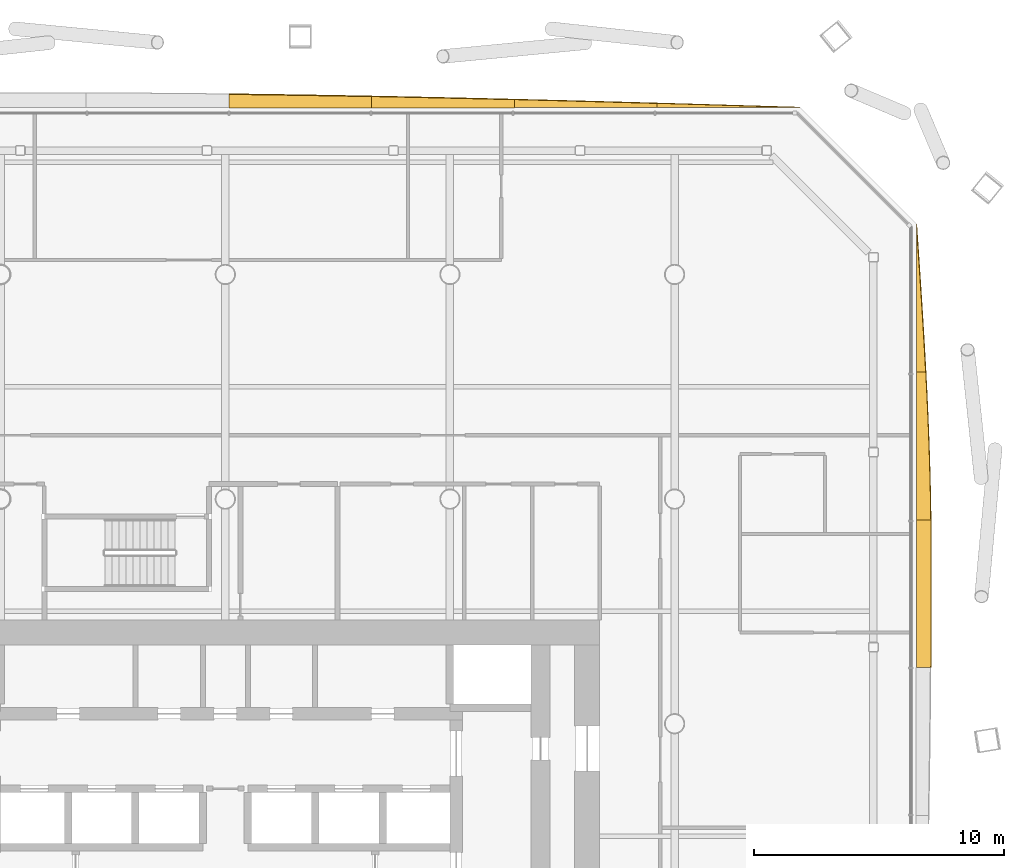
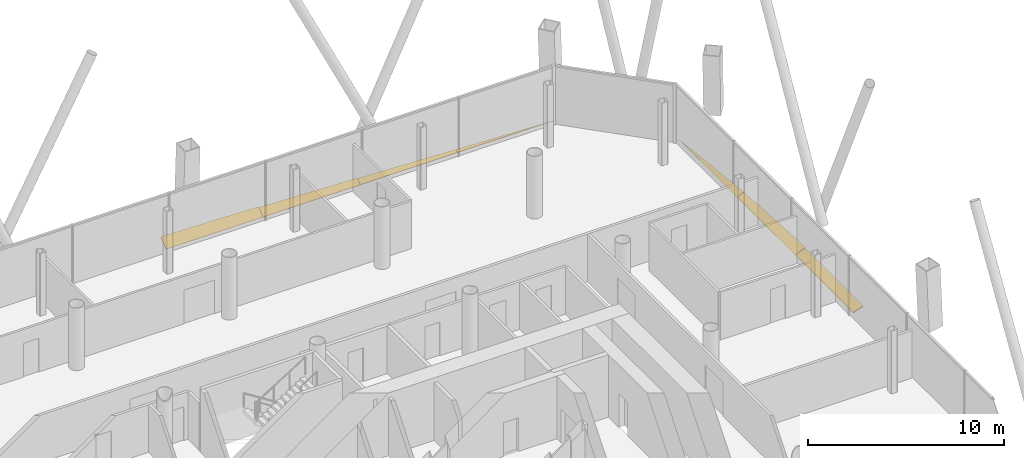
# One storey, part 22 of 22: 7 shading devices.
"""IFC4 building model written with IfcOpenShell, lengths in metres."""

from ifc_helpers import new_model, si_unit, direction, frame, origin, place, context, subcontext, project, spatial, polyline, outline, extrude, material, layer, layer_set, type_object, element, save


model = new_model("IFC4")

# Units and contexts
model_context = context("Model", 3, precision=1e-05, world=origin(), true_north=direction((0.0, 1.0)))
body_context = subcontext(model_context, "Body", "Model", "MODEL_VIEW")
ifc_project = project(units=[si_unit("LENGTHUNIT", "METRE"), si_unit("AREAUNIT", "SQUARE_METRE"), si_unit("VOLUMEUNIT", "CUBIC_METRE"), si_unit("PLANEANGLEUNIT", "RADIAN"), si_unit("MASSUNIT", "GRAM", prefix="KILO")], contexts=[model_context])

# Site, building, storey
site_placement = place(None, origin())
site = spatial("IfcSite", under=ifc_project, at=site_placement, CompositionType="ELEMENT")
building_placement = place(site_placement, origin())
building = spatial("IfcBuilding", under=site, at=building_placement, Name="Tskaro Facet Tower", CompositionType="ELEMENT")
storey_placement = place(building_placement, frame((0.0, 0.0, 85.5)))
storey = spatial("IfcBuildingStorey", under=building, at=storey_placement, Name="L20", CompositionType="ELEMENT", Elevation=85.5)

# Shading devices
ifc_material = material(Name="Bronze anodised aluminium 6063-T6", Category="aluminium")
ifc_layer = layer(ifc_material, 0.06005859375, Name="Bronze anodised aluminium 6063-T6")
ifc_layer_set = layer_set([ifc_layer], Name="Bronze anodised aluminium 6063-T6")
shading_device_type = type_object("IfcShadingDeviceType", Name="Bronze sun blade (FN1)", PredefinedType="USERDEFINED", material=ifc_layer_set)
shading_device_1_placement = place(storey_placement, frame((27.6923828125, 2.24462890625, 0.056396484375), z_axis=(-0.341976492297, -1.2300878e-05, 0.939708507233), x_axis=(-4.206611e-06, 0.999999999924, 1.1559239e-05)))
element("IfcShadingDevice", 1, at=shading_device_1_placement, inside=storey, type_object=shading_device_type, Name="Fin blade east 5", ObjectType="FIN", PredefinedType="USERDEFINED", context=body_context, shape_type="SweptSolid", body=[
    extrude(outline(polyline([(0.0, 0.0), (5.924072265176809, 0.0), (5.924072266639527, -0.6129224061607101), (5.1835937492492805, -0.6211822727742998), (4.443115234439642, -0.6245821978369365), (4.253417967801988, -0.6248116188592274), (3.7026367198976673, -0.6243527768146455), (2.9619140631945706, -0.6230386909940491), (2.221435545580314, -0.6206399403751471), (1.480957030279001, -0.6170105942902195), (0.7404785152366217, -0.6126094947838483), (-3.148942272032994e-10, -0.6068943094568807), (0.0, 0.0)])), origin(), (0.0, 0.0, -1.0), 0.06005859375),
])
shading_device_2_placement = place(storey_placement, frame((27.687744140625, 8.168701171875, 0.054443359375), z_axis=(-0.422572573953, 1.597861e-06, 0.906329090198), x_axis=(6.75212e-07, 0.999999999999, -1.448188e-06)))
element("IfcShadingDevice", 2, at=shading_device_2_placement, inside=storey, type_object=shading_device_type, Name="Fin blade east 6", ObjectType="FIN", PredefinedType="USERDEFINED", context=body_context, shape_type="SweptSolid", body=[
    extrude(outline(polyline([(0.0, 0.0), (5.924072265617438, 0.0), (5.924072265602617, -0.4113369612768351), (5.183593749908532, -0.4528408443860671), (4.443115234192808, -0.4908491919444402), (3.702636718809007, -0.5252588368196416), (2.9621582032387206, -0.5559516743934471), (2.2216796875058176, -0.5823819940324698), (1.4809570313388583, -0.6044466286043968), (0.7404785156342816, -0.6222487452415408), (-4.4197575400409974e-11, -0.6354639050610522), (0.0, 0.0)])), origin(), (0.0, 0.0, -1.0), 0.06005859375),
])
shading_device_3_placement = place(storey_placement, frame((27.68310546875, 14.0927734375, 0.052001953125), z_axis=(-0.500125465519, 2.381121e-06, 0.865952954111), x_axis=(1.190859e-06, 0.999999999997, -2.061939e-06)))
element("IfcShadingDevice", 3, at=shading_device_3_placement, inside=storey, type_object=shading_device_type, Name="Fin blade east 7", ObjectType="FIN", PredefinedType="USERDEFINED", context=body_context, shape_type="SweptSolid", body=[
    extrude(outline(polyline([(0.0, 0.0), (5.924316406233205, 0.0), (5.183593749972193, -0.05808135716414091), (4.443115234045443, -0.11595130003284389), (3.70263671875669, -0.17282069718404164), (2.962158203311795, -0.2286002352660267), (2.22167968734195, -0.2825335704487548), (1.481201171853959, -0.334376500844765), (0.7407226565570867, -0.38391761215861936), (-4.587825255661769e-11, -0.43052266150400403), (0.0, 0.0)])), origin(), (0.0, 0.0, -1.0), 0.06005859375),
])
shading_device_4_placement = place(storey_placement, frame((23.01708984375, 24.687744140625, 0.054443359375), z_axis=(-3.367934e-06, -0.422255488869, 0.906476862423), x_axis=(-0.999999999994, 1.422129e-06, -3.052954e-06)))
element("IfcShadingDevice", 4, at=shading_device_4_placement, inside=storey, type_object=shading_device_type, Name="Fin blade north 1", ObjectType="FIN", PredefinedType="USERDEFINED", context=body_context, shape_type="SweptSolid", body=[
    extrude(outline(polyline([(0.0, 0.0), (5.719238281217564, -1.2110958143542016e-21), (5.719238281282431, -0.18448148235190612), (5.004394531190394, -0.16187112578208987), (4.289550781098358, -0.13926076921227362), (3.5744628907794738, -0.1163260150957533), (2.8596191407383884, -0.09316995315149171), (2.144775390697303, -0.07001389120723012), (1.4299316403090183, -0.04663652143522727), (0.7150878906660838, -0.02315606194426159), (0.0, 0.0)])), origin(), (0.0, 0.0, -1.0), 0.06005859375),
])
shading_device_5_placement = place(storey_placement, frame((17.2978515625, 24.68310546875, 0.052001953125), z_axis=(2.442673e-06, -0.499997123501, 0.866027064522), x_axis=(-0.999999999997, -1.221329e-06, 2.115421e-06)))
element("IfcShadingDevice", 5, at=shading_device_5_placement, inside=storey, type_object=shading_device_type, Name="Fin blade north 2", ObjectType="FIN", PredefinedType="USERDEFINED", context=body_context, shape_type="SweptSolid", body=[
    extrude(outline(polyline([(0.0, 0.0), (5.719238281232938, 1.2110958143542016e-21), (5.719238281422771, -0.37047299304780773), (5.004150390657151, -0.34957800303671566), (4.289306640814706, -0.32847158063682347), (3.5744628905356928, -0.30669815423887126), (2.8596191405548557, -0.28471329545211904), (2.144775390355735, -0.2623949346663368), (1.429687500127967, -0.23965370910295442), (0.7148437497904541, -0.21645691193031208), (2.6757761197946505e-10, -0.1931707519790997), (0.0, 0.0)])), origin(), (0.0, 0.0, -1.0), 0.06005859375),
])
shading_device_6_placement = place(storey_placement, frame((11.57861328125, 24.678466796875, 0.049072265625), z_axis=(-6.164907e-06, -0.57355120221, 0.819169712822), x_axis=(-0.999999999981, 3.53589e-06, -5.050105e-06)))
element("IfcShadingDevice", 6, at=shading_device_6_placement, inside=storey, type_object=shading_device_type, Name="Fin blade north 3", ObjectType="FIN", PredefinedType="USERDEFINED", context=body_context, shape_type="SweptSolid", body=[
    extrude(outline(polyline([(0.0, 0.0), (5.718994140516322, -2.422088231131834e-21), (5.718994140635215, -0.5465812980948197), (5.004150390760735, -0.5295806336122519), (4.289306640762362, -0.5116999370147048), (3.574462890270416, -0.49327922805683133), (2.8593749998928377, -0.47417847958965176), (2.1445312496466826, -0.4545377187621459), (1.4296875001398899, -0.43421691842533394), (0.7148437501395245, -0.4133561057281956), (-3.544138284443265e-10, -0.39195528067073093), (0.0, 0.0)])), origin(), (0.0, 0.0, -1.0), 0.06005859375),
])
shading_device_7_placement = place(storey_placement, frame((5.859619140625, 24.67431640625, 0.0458984375), z_axis=(2.116474e-06, -0.642755945154, 0.766071011698), x_axis=(-0.999999999998, -1.360377e-06, 1.62137e-06)))
element("IfcShadingDevice", 7, at=shading_device_7_placement, inside=storey, type_object=shading_device_type, Name="Fin blade north 4", ObjectType="FIN", PredefinedType="USERDEFINED", context=body_context, shape_type="SweptSolid", body=[
    extrude(outline(polyline([(0.0, 0.0), (5.719238281237191, 0.0), (5.719238281354652, -0.7014874334604966), (5.004394531437422, -0.690046702314044), (4.289306640704034, -0.6775741154863006), (3.5744628904044884, -0.6640696729772667), (2.8596191407054707, -0.6498472204632874), (2.144775390483172, -0.6347799413236082), (1.4299316404655589, -0.6188377293408109), (0.7148437500276313, -0.6020205845148956), (8.726509110228568e-11, -0.5845155359014532), (0.0, 0.0)])), origin(), (0.0, 0.0, -1.0), 0.06005859375),
])

save(model, "model.ifc")
